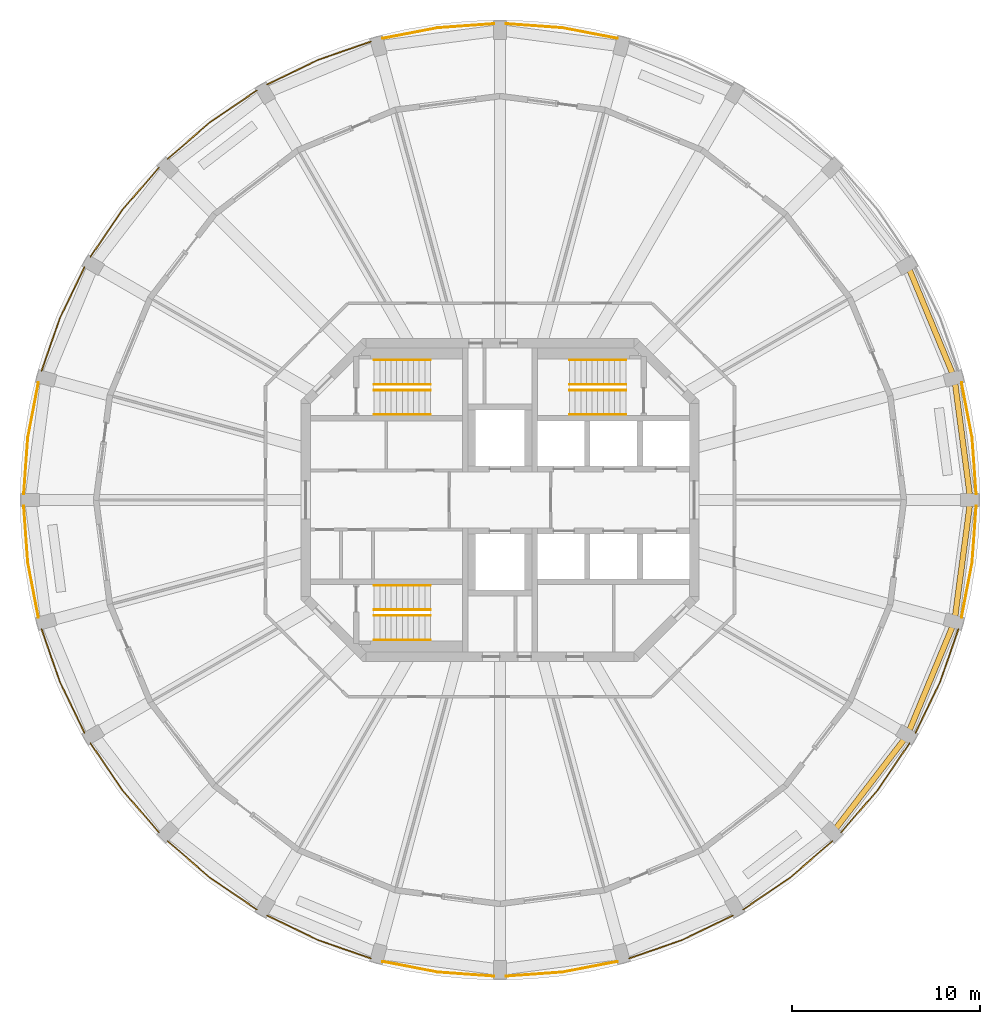
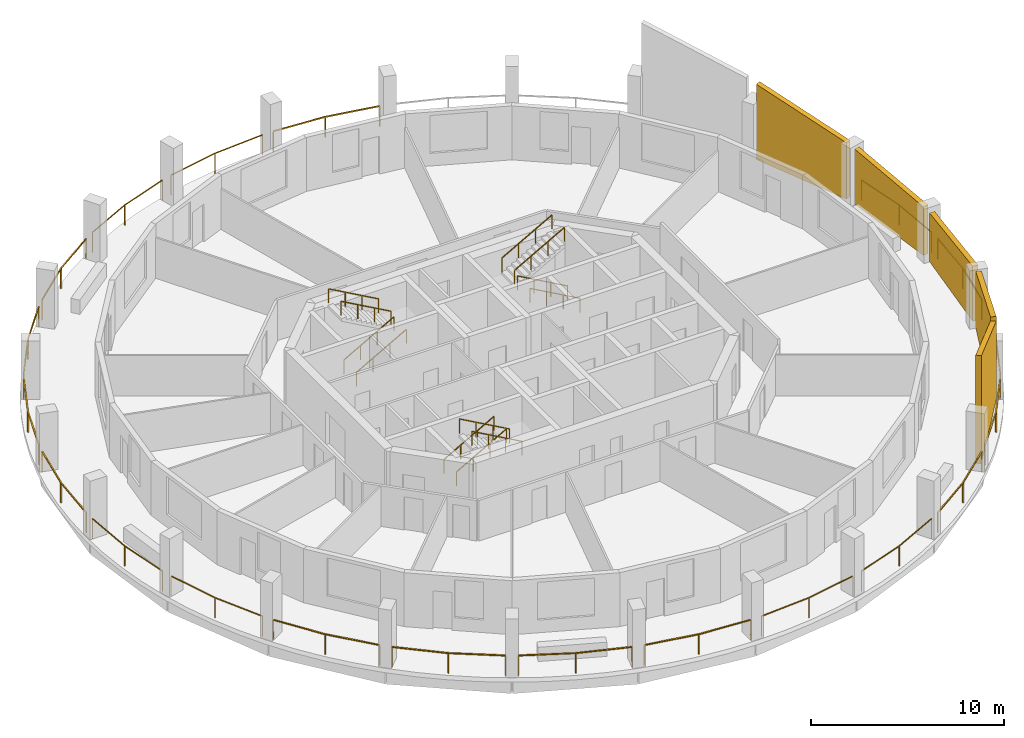
# One storey, part 7 of 8: 32 railings, 5 shading devices.
"""IFC4 building model written with IfcOpenShell, lengths in metres."""

from ifc_helpers import new_model, si_unit, direction, frame, origin, origin_2d, place, context, subcontext, project, spatial, polyline, rectangle, outline, extrude, material, type_object, element, save


model = new_model("IFC4")

# Units and contexts
model_context = context("Model", 3, precision=1e-05, world=origin(), true_north=direction((0.0, 1.0)))
body_context = subcontext(model_context, "Body", "Model", "MODEL_VIEW")
ifc_project = project(units=[si_unit("LENGTHUNIT", "METRE"), si_unit("AREAUNIT", "SQUARE_METRE"), si_unit("VOLUMEUNIT", "CUBIC_METRE"), si_unit("PLANEANGLEUNIT", "RADIAN"), si_unit("MASSUNIT", "GRAM", prefix="KILO")], contexts=[model_context])

# Site, building, storey
site_placement = place(None, origin())
site = spatial("IfcSite", under=ifc_project, at=site_placement, CompositionType="ELEMENT")
building_placement = place(site_placement, origin())
building = spatial("IfcBuilding", under=site, at=building_placement, Name="Torre Triforio", CompositionType="ELEMENT")
storey_placement = place(building_placement, frame((0.0, 0.0, 287.10009765625)))
storey = spatial("IfcBuildingStorey", under=building, at=storey_placement, Name="L66", CompositionType="ELEMENT", Elevation=287.10009765625)

# Railings
ifc_material = material(Name="Stainless steel AISI 316", Category="steel")
railing_type_1 = type_object("IfcRailingType", Name="HANDRAIL 920", PredefinedType="HANDRAIL", material=ifc_material)
for number, where, name in (
    (1, (-6.699951171875, 4.550048828125, 0.16796875), "Handrail ST1"),
    (2, (-6.699951171875, 5.85009765625, 0.16796875), "Handrail ST1"),
):
    element("IfcRailing", number, at=place(storey_placement, frame(where)), inside=storey, type_object=railing_type_1, Name=name, PredefinedType="HANDRAIL", context=body_context, shape_type="SweptSolid", body=[
        extrude(rectangle(XDim=0.048095703125, YDim=0.048095703125, at=origin_2d()), frame((0.0, 0.0, 0.89599609375), z_axis=(0.872272294576, 0.0, 0.489020494575), x_axis=(0.0, 1.0, 0.0)), (0.0, 0.0, 1.0), 3.439208984375),
        extrude(rectangle(XDim=0.0419921875, YDim=0.0419921875, at=origin_2d()), origin(), (0.0, 0.0, 1.0), 0.871826171875),
        extrude(rectangle(XDim=0.0419921875, YDim=0.0419921875, at=origin_2d()), frame((1.0, 0.0, 0.560546875)), (0.0, 0.0, 1.0), 0.871826171875),
        extrude(rectangle(XDim=0.0419921875, YDim=0.0419921875, at=origin_2d()), frame((2.0, 0.0, 1.121337890625)), (0.0, 0.0, 1.0), 0.871826171875),
        extrude(rectangle(XDim=0.0419921875, YDim=0.0419921875, at=origin_2d()), frame((3.0, 0.0, 1.681884765625)), (0.0, 0.0, 1.0), 0.871826171875),
    ])
for number, where, name in (
    (3, (-3.699951171875, 7.449951171875, 2.01806640625), "Handrail ST1"),
    (4, (-3.699951171875, 6.14990234375, 2.01806640625), "Handrail ST1"),
    (5, (6.699951171875, 4.550048828125, 0.16796875), "Handrail ST2"),
    (6, (6.699951171875, 5.85009765625, 0.16796875), "Handrail ST2"),
):
    element("IfcRailing", number, at=place(storey_placement, frame(where)), inside=storey, type_object=railing_type_1, Name=name, PredefinedType="HANDRAIL", context=body_context, shape_type="SweptSolid", body=[
        extrude(rectangle(XDim=0.048095703125, YDim=0.048095703125, at=origin_2d()), frame((0.0, 0.0, 0.89599609375), z_axis=(-0.872272294576, 0.0, 0.489020494575), x_axis=(0.0, -1.0, 0.0)), (0.0, 0.0, 1.0), 3.439208984375),
        extrude(rectangle(XDim=0.0419921875, YDim=0.0419921875, at=origin_2d()), origin(), (0.0, 0.0, 1.0), 0.871826171875),
        extrude(rectangle(XDim=0.0419921875, YDim=0.0419921875, at=origin_2d()), frame((-1.0, 0.0, 0.560546875)), (0.0, 0.0, 1.0), 0.871826171875),
        extrude(rectangle(XDim=0.0419921875, YDim=0.0419921875, at=origin_2d()), frame((-2.0, 0.0, 1.121337890625)), (0.0, 0.0, 1.0), 0.871826171875),
        extrude(rectangle(XDim=0.0419921875, YDim=0.0419921875, at=origin_2d()), frame((-3.0, 0.0, 1.681884765625)), (0.0, 0.0, 1.0), 0.871826171875),
    ])
for number, where, name in (
    (7, (3.699951171875, 7.449951171875, 2.01806640625), "Handrail ST2"),
    (8, (3.699951171875, 6.14990234375, 2.01806640625), "Handrail ST2"),
    (9, (-6.699951171875, -4.550048828125, 0.16796875), "Handrail ST3"),
    (10, (-6.699951171875, -5.85009765625, 0.16796875), "Handrail ST3"),
):
    element("IfcRailing", number, at=place(storey_placement, frame(where)), inside=storey, type_object=railing_type_1, Name=name, PredefinedType="HANDRAIL", context=body_context, shape_type="SweptSolid", body=[
        extrude(rectangle(XDim=0.048095703125, YDim=0.048095703125, at=origin_2d()), frame((0.0, 0.0, 0.89599609375), z_axis=(0.872272294576, 0.0, 0.489020494575), x_axis=(0.0, 1.0, 0.0)), (0.0, 0.0, 1.0), 3.439208984375),
        extrude(rectangle(XDim=0.0419921875, YDim=0.0419921875, at=origin_2d()), origin(), (0.0, 0.0, 1.0), 0.871826171875),
        extrude(rectangle(XDim=0.0419921875, YDim=0.0419921875, at=origin_2d()), frame((1.0, 0.0, 0.560546875)), (0.0, 0.0, 1.0), 0.871826171875),
        extrude(rectangle(XDim=0.0419921875, YDim=0.0419921875, at=origin_2d()), frame((2.0, 0.0, 1.121337890625)), (0.0, 0.0, 1.0), 0.871826171875),
        extrude(rectangle(XDim=0.0419921875, YDim=0.0419921875, at=origin_2d()), frame((3.0, 0.0, 1.681884765625)), (0.0, 0.0, 1.0), 0.871826171875),
    ])
for number, where, name in (
    (11, (-3.699951171875, -7.449951171875, 2.01806640625), "Handrail ST3"),
    (12, (-3.699951171875, -6.14990234375, 2.01806640625), "Handrail ST3"),
):
    element("IfcRailing", number, at=place(storey_placement, frame(where)), inside=storey, type_object=railing_type_1, Name=name, PredefinedType="HANDRAIL", context=body_context, shape_type="SweptSolid", body=[
        extrude(rectangle(XDim=0.048095703125, YDim=0.048095703125, at=origin_2d()), frame((0.0, 0.0, 0.89599609375), z_axis=(-0.872272294576, 0.0, 0.489020494575), x_axis=(0.0, -1.0, 0.0)), (0.0, 0.0, 1.0), 3.439208984375),
        extrude(rectangle(XDim=0.0419921875, YDim=0.0419921875, at=origin_2d()), origin(), (0.0, 0.0, 1.0), 0.871826171875),
        extrude(rectangle(XDim=0.0419921875, YDim=0.0419921875, at=origin_2d()), frame((-1.0, 0.0, 0.560546875)), (0.0, 0.0, 1.0), 0.871826171875),
        extrude(rectangle(XDim=0.0419921875, YDim=0.0419921875, at=origin_2d()), frame((-2.0, 0.0, 1.121337890625)), (0.0, 0.0, 1.0), 0.871826171875),
        extrude(rectangle(XDim=0.0419921875, YDim=0.0419921875, at=origin_2d()), frame((-3.0, 0.0, 1.681884765625)), (0.0, 0.0, 1.0), 0.871826171875),
    ])
railing_type_2 = type_object("IfcRailingType", Name="Loggia guard 1300", PredefinedType="GUARDRAIL", material=ifc_material)
railing_1_placement = place(storey_placement, frame((25.35009765625, 0.320068359375, 0.0)))
element("IfcRailing", 13, at=railing_1_placement, inside=storey, type_object=railing_type_2, Name="Loggia guard L66 bay 01", PredefinedType="GUARDRAIL", context=body_context, shape_type="SweptSolid", body=[
    extrude(rectangle(XDim=0.050048828125, YDim=0.050048828125, at=origin_2d()), frame((0.0, 0.0, 1.27490234375), z_axis=(-0.072428129451, 0.997373634133, 0.0), x_axis=(-0.997373634133, -0.072428129451, 0.0)), (0.0, 0.0, 1.0), 2.99658203125),
    extrude(rectangle(XDim=0.050048828125, YDim=0.050048828125, at=origin_2d()), frame((-0.217041015625, 2.98876953125, 1.27490234375), z_axis=(-0.18819767745, 0.98213116955, 0.0), x_axis=(-0.98213116955, -0.18819767745, 0.0)), (0.0, 0.0, 1.0), 2.99658203125),
    extrude(rectangle(XDim=0.0400390625, YDim=0.0400390625, at=origin_2d()), origin(), (0.0, 0.0, 1.0), 1.25),
    extrude(rectangle(XDim=0.0400390625, YDim=0.0400390625, at=origin_2d()), frame((-0.217041015625, 2.98876953125, 0.0)), (0.0, 0.0, 1.0), 1.25),
    extrude(rectangle(XDim=0.0400390625, YDim=0.0400390625, at=origin_2d()), frame((-0.781005859375, 5.931884765625, 0.0)), (0.0, 0.0, 1.0), 1.25),
])
railing_2_placement = place(storey_placement, frame((6.251953125, 24.569091796875, 0.0)))
element("IfcRailing", 14, at=railing_2_placement, inside=storey, type_object=railing_type_2, Name="Loggia guard L66 bay 06", PredefinedType="GUARDRAIL", context=body_context, shape_type="SweptSolid", body=[
    extrude(rectangle(XDim=0.050048828125, YDim=0.050048828125, at=origin_2d()), frame((0.0, 0.0, 1.27490234375), z_axis=(-0.98213116955, 0.18819767745, 0.0), x_axis=(-0.18819767745, -0.98213116955, 0.0)), (0.0, 0.0, 1.0), 2.99658203125),
    extrude(rectangle(XDim=0.050048828125, YDim=0.050048828125, at=origin_2d()), frame((-2.943115234375, 0.56396484375, 1.27490234375), z_axis=(-0.997373634133, 0.072428129451, 0.0), x_axis=(-0.072428129451, -0.997373634133, 0.0)), (0.0, 0.0, 1.0), 2.99658203125),
    extrude(rectangle(XDim=0.0400390625, YDim=0.0400390625, at=origin_2d()), origin(), (0.0, 0.0, 1.0), 1.25),
    extrude(rectangle(XDim=0.0400390625, YDim=0.0400390625, at=origin_2d()), frame((-2.943115234375, 0.56396484375, 0.0)), (0.0, 0.0, 1.0), 1.25),
    extrude(rectangle(XDim=0.0400390625, YDim=0.0400390625, at=origin_2d()), frame((-5.931884765625, 0.781005859375, 0.0)), (0.0, 0.0, 1.0), 1.25),
])
railing_3_placement = place(storey_placement, frame((-0.320068359375, 25.35009765625, 0.0)))
element("IfcRailing", 15, at=railing_3_placement, inside=storey, type_object=railing_type_2, Name="Loggia guard L66 bay 07", PredefinedType="GUARDRAIL", context=body_context, shape_type="SweptSolid", body=[
    extrude(rectangle(XDim=0.050048828125, YDim=0.050048828125, at=origin_2d()), frame((0.0, 0.0, 1.27490234375), z_axis=(-0.997373634133, -0.072428129451, 0.0), x_axis=(0.072428129451, -0.997373634133, 0.0)), (0.0, 0.0, 1.0), 2.99658203125),
    extrude(rectangle(XDim=0.050048828125, YDim=0.050048828125, at=origin_2d()), frame((-2.98876953125, -0.217041015625, 1.27490234375), z_axis=(-0.98213116955, -0.18819767745, 0.0), x_axis=(0.18819767745, -0.98213116955, 0.0)), (0.0, 0.0, 1.0), 2.99658203125),
    extrude(rectangle(XDim=0.0400390625, YDim=0.0400390625, at=origin_2d()), origin(), (0.0, 0.0, 1.0), 1.25),
    extrude(rectangle(XDim=0.0400390625, YDim=0.0400390625, at=origin_2d()), frame((-2.98876953125, -0.217041015625, 0.0)), (0.0, 0.0, 1.0), 1.25),
    extrude(rectangle(XDim=0.0400390625, YDim=0.0400390625, at=origin_2d()), frame((-5.931884765625, -0.781005859375, 0.0)), (0.0, 0.0, 1.0), 1.25),
])
railing_4_placement = place(storey_placement, frame((-6.8701171875, 24.4033203125, 0.0)))
element("IfcRailing", 16, at=railing_4_placement, inside=storey, type_object=railing_type_2, Name="Loggia guard L66 bay 08", PredefinedType="GUARDRAIL", context=body_context, shape_type="SweptSolid", body=[
    extrude(rectangle(XDim=0.050048828125, YDim=0.050048828125, at=origin_2d()), frame((0.0, 0.0, 1.27490234375), z_axis=(-0.944674716123, -0.328008659518, 0.0), x_axis=(0.328008659518, -0.944674716123, 0.0)), (0.0, 0.0, 1.0), 2.99658203125),
    extrude(rectangle(XDim=0.050048828125, YDim=0.050048828125, at=origin_2d()), frame((-2.830810546875, -0.98291015625, 1.27490234375), z_axis=(-0.899945864081, -0.43600165335, 0.0), x_axis=(0.43600165335, -0.899945864081, 0.0)), (0.0, 0.0, 1.0), 2.996826171875),
    extrude(rectangle(XDim=0.0400390625, YDim=0.0400390625, at=origin_2d()), origin(), (0.0, 0.0, 1.0), 1.25),
    extrude(rectangle(XDim=0.0400390625, YDim=0.0400390625, at=origin_2d()), frame((-2.830810546875, -0.98291015625, 0.0)), (0.0, 0.0, 1.0), 1.25),
    extrude(rectangle(XDim=0.0400390625, YDim=0.0400390625, at=origin_2d()), frame((-5.52783203125, -2.28955078125, 0.0)), (0.0, 0.0, 1.0), 1.25),
])
railing_5_placement = place(storey_placement, frame((-12.9521484375, 21.793701171875, 0.0)))
element("IfcRailing", 17, at=railing_5_placement, inside=storey, type_object=railing_type_2, Name="Loggia guard L66 bay 09", PredefinedType="GUARDRAIL", context=body_context, shape_type="SweptSolid", body=[
    extrude(rectangle(XDim=0.050048828125, YDim=0.050048828125, at=origin_2d()), frame((0.0, 0.0, 1.27490234375), z_axis=(-0.82758661631, -0.561338037643, 0.0), x_axis=(0.561338037643, -0.82758661631, 0.0)), (0.0, 0.0, 1.0), 2.99658203125),
    extrude(rectangle(XDim=0.050048828125, YDim=0.050048828125, at=origin_2d()), frame((-2.47998046875, -1.68212890625, 1.27490234375), z_axis=(-0.756414371673, -0.65409272915, 0.0), x_axis=(0.65409272915, -0.756414371673, 0.0)), (0.0, 0.0, 1.0), 2.996826171875),
    extrude(rectangle(XDim=0.0400390625, YDim=0.0400390625, at=origin_2d()), origin(), (0.0, 0.0, 1.0), 1.25),
    extrude(rectangle(XDim=0.0400390625, YDim=0.0400390625, at=origin_2d()), frame((-2.47998046875, -1.68212890625, 0.0)), (0.0, 0.0, 1.0), 1.25),
    extrude(rectangle(XDim=0.0400390625, YDim=0.0400390625, at=origin_2d()), frame((-4.746826171875, -3.642333984375, 0.0)), (0.0, 0.0, 1.0), 1.25),
])
railing_6_placement = place(storey_placement, frame((-18.1513671875, 17.698974609375, 0.0)))
element("IfcRailing", 18, at=railing_6_placement, inside=storey, type_object=railing_type_2, Name="Loggia guard L66 bay 10", PredefinedType="GUARDRAIL", context=body_context, shape_type="SweptSolid", body=[
    extrude(rectangle(XDim=0.050048828125, YDim=0.050048828125, at=origin_2d()), frame((0.0, 0.0, 1.27490234375), z_axis=(-0.65409272915, -0.756414371673, 0.0), x_axis=(0.756414371673, -0.65409272915, 0.0)), (0.0, 0.0, 1.0), 2.996826171875),
    extrude(rectangle(XDim=0.050048828125, YDim=0.050048828125, at=origin_2d()), frame((-1.960205078125, -2.266845703125, 1.27490234375), z_axis=(-0.561338037643, -0.82758661631, 0.0), x_axis=(0.82758661631, -0.561338037643, 0.0)), (0.0, 0.0, 1.0), 2.99658203125),
    extrude(rectangle(XDim=0.0400390625, YDim=0.0400390625, at=origin_2d()), origin(), (0.0, 0.0, 1.0), 1.25),
    extrude(rectangle(XDim=0.0400390625, YDim=0.0400390625, at=origin_2d()), frame((-1.960205078125, -2.266845703125, 0.0)), (0.0, 0.0, 1.0), 1.25),
    extrude(rectangle(XDim=0.0400390625, YDim=0.0400390625, at=origin_2d()), frame((-3.642333984375, -4.746826171875, 0.0)), (0.0, 0.0, 1.0), 1.25),
])
railing_7_placement = place(storey_placement, frame((-22.11376953125, 12.39794921875, 0.0)))
element("IfcRailing", 19, at=railing_7_placement, inside=storey, type_object=railing_type_2, Name="Loggia guard L66 bay 11", PredefinedType="GUARDRAIL", context=body_context, shape_type="SweptSolid", body=[
    extrude(rectangle(XDim=0.050048828125, YDim=0.050048828125, at=origin_2d()), frame((0.0, 0.0, 1.27490234375), z_axis=(-0.43600165335, -0.899945864081, 0.0), x_axis=(0.899945864081, -0.43600165335, 0.0)), (0.0, 0.0, 1.0), 2.996826171875),
    extrude(rectangle(XDim=0.050048828125, YDim=0.050048828125, at=origin_2d()), frame((-1.306640625, -2.697021484375, 1.27490234375), z_axis=(-0.328008659518, -0.944674716123, 0.0), x_axis=(0.944674716123, -0.328008659518, 0.0)), (0.0, 0.0, 1.0), 2.99658203125),
    extrude(rectangle(XDim=0.0400390625, YDim=0.0400390625, at=origin_2d()), origin(), (0.0, 0.0, 1.0), 1.25),
    extrude(rectangle(XDim=0.0400390625, YDim=0.0400390625, at=origin_2d()), frame((-1.306640625, -2.697021484375, 0.0)), (0.0, 0.0, 1.0), 1.25),
    extrude(rectangle(XDim=0.0400390625, YDim=0.0400390625, at=origin_2d()), frame((-2.28955078125, -5.52783203125, 0.0)), (0.0, 0.0, 1.0), 1.25),
])
railing_8_placement = place(storey_placement, frame((-24.569091796875, 6.251953125, 0.0)))
element("IfcRailing", 20, at=railing_8_placement, inside=storey, type_object=railing_type_2, Name="Loggia guard L66 bay 12", PredefinedType="GUARDRAIL", context=body_context, shape_type="SweptSolid", body=[
    extrude(rectangle(XDim=0.050048828125, YDim=0.050048828125, at=origin_2d()), frame((0.0, 0.0, 1.27490234375), z_axis=(-0.18819767745, -0.98213116955, 0.0), x_axis=(0.98213116955, -0.18819767745, 0.0)), (0.0, 0.0, 1.0), 2.99658203125),
    extrude(rectangle(XDim=0.050048828125, YDim=0.050048828125, at=origin_2d()), frame((-0.56396484375, -2.943115234375, 1.27490234375), z_axis=(-0.072428129451, -0.997373634133, 0.0), x_axis=(0.997373634133, -0.072428129451, 0.0)), (0.0, 0.0, 1.0), 2.99658203125),
    extrude(rectangle(XDim=0.0400390625, YDim=0.0400390625, at=origin_2d()), origin(), (0.0, 0.0, 1.0), 1.25),
    extrude(rectangle(XDim=0.0400390625, YDim=0.0400390625, at=origin_2d()), frame((-0.56396484375, -2.943115234375, 0.0)), (0.0, 0.0, 1.0), 1.25),
    extrude(rectangle(XDim=0.0400390625, YDim=0.0400390625, at=origin_2d()), frame((-0.781005859375, -5.931884765625, 0.0)), (0.0, 0.0, 1.0), 1.25),
])
railing_9_placement = place(storey_placement, frame((-25.35009765625, -0.320068359375, 0.0)))
element("IfcRailing", 21, at=railing_9_placement, inside=storey, type_object=railing_type_2, Name="Loggia guard L66 bay 13", PredefinedType="GUARDRAIL", context=body_context, shape_type="SweptSolid", body=[
    extrude(rectangle(XDim=0.050048828125, YDim=0.050048828125, at=origin_2d()), frame((0.0, 0.0, 1.27490234375), z_axis=(0.072428129451, -0.997373634133, 0.0), x_axis=(0.997373634133, 0.072428129451, 0.0)), (0.0, 0.0, 1.0), 2.99658203125),
    extrude(rectangle(XDim=0.050048828125, YDim=0.050048828125, at=origin_2d()), frame((0.217041015625, -2.98876953125, 1.27490234375), z_axis=(0.18819767745, -0.98213116955, 0.0), x_axis=(0.98213116955, 0.18819767745, 0.0)), (0.0, 0.0, 1.0), 2.99658203125),
    extrude(rectangle(XDim=0.0400390625, YDim=0.0400390625, at=origin_2d()), origin(), (0.0, 0.0, 1.0), 1.25),
    extrude(rectangle(XDim=0.0400390625, YDim=0.0400390625, at=origin_2d()), frame((0.217041015625, -2.98876953125, 0.0)), (0.0, 0.0, 1.0), 1.25),
    extrude(rectangle(XDim=0.0400390625, YDim=0.0400390625, at=origin_2d()), frame((0.781005859375, -5.931884765625, 0.0)), (0.0, 0.0, 1.0), 1.25),
])
railing_10_placement = place(storey_placement, frame((-24.4033203125, -6.8701171875, 0.0)))
element("IfcRailing", 22, at=railing_10_placement, inside=storey, type_object=railing_type_2, Name="Loggia guard L66 bay 14", PredefinedType="GUARDRAIL", context=body_context, shape_type="SweptSolid", body=[
    extrude(rectangle(XDim=0.050048828125, YDim=0.050048828125, at=origin_2d()), frame((0.0, 0.0, 1.27490234375), z_axis=(0.328008659518, -0.944674716123, 0.0), x_axis=(0.944674716123, 0.328008659518, 0.0)), (0.0, 0.0, 1.0), 2.99658203125),
    extrude(rectangle(XDim=0.050048828125, YDim=0.050048828125, at=origin_2d()), frame((0.98291015625, -2.830810546875, 1.27490234375), z_axis=(0.43600165335, -0.899945864081, 0.0), x_axis=(0.899945864081, 0.43600165335, 0.0)), (0.0, 0.0, 1.0), 2.996826171875),
    extrude(rectangle(XDim=0.0400390625, YDim=0.0400390625, at=origin_2d()), origin(), (0.0, 0.0, 1.0), 1.25),
    extrude(rectangle(XDim=0.0400390625, YDim=0.0400390625, at=origin_2d()), frame((0.98291015625, -2.830810546875, 0.0)), (0.0, 0.0, 1.0), 1.25),
    extrude(rectangle(XDim=0.0400390625, YDim=0.0400390625, at=origin_2d()), frame((2.28955078125, -5.52783203125, 0.0)), (0.0, 0.0, 1.0), 1.25),
])
railing_11_placement = place(storey_placement, frame((-21.793701171875, -12.9521484375, 0.0)))
element("IfcRailing", 23, at=railing_11_placement, inside=storey, type_object=railing_type_2, Name="Loggia guard L66 bay 15", PredefinedType="GUARDRAIL", context=body_context, shape_type="SweptSolid", body=[
    extrude(rectangle(XDim=0.050048828125, YDim=0.050048828125, at=origin_2d()), frame((0.0, 0.0, 1.27490234375), z_axis=(0.561338037643, -0.82758661631, 0.0), x_axis=(0.82758661631, 0.561338037643, 0.0)), (0.0, 0.0, 1.0), 2.99658203125),
    extrude(rectangle(XDim=0.050048828125, YDim=0.050048828125, at=origin_2d()), frame((1.68212890625, -2.47998046875, 1.27490234375), z_axis=(0.65409272915, -0.756414371673, 0.0), x_axis=(0.756414371673, 0.65409272915, 0.0)), (0.0, 0.0, 1.0), 2.996826171875),
    extrude(rectangle(XDim=0.0400390625, YDim=0.0400390625, at=origin_2d()), origin(), (0.0, 0.0, 1.0), 1.25),
    extrude(rectangle(XDim=0.0400390625, YDim=0.0400390625, at=origin_2d()), frame((1.68212890625, -2.47998046875, 0.0)), (0.0, 0.0, 1.0), 1.25),
    extrude(rectangle(XDim=0.0400390625, YDim=0.0400390625, at=origin_2d()), frame((3.642333984375, -4.746826171875, 0.0)), (0.0, 0.0, 1.0), 1.25),
])
railing_12_placement = place(storey_placement, frame((-17.698974609375, -18.1513671875, 0.0)))
element("IfcRailing", 24, at=railing_12_placement, inside=storey, type_object=railing_type_2, Name="Loggia guard L66 bay 16", PredefinedType="GUARDRAIL", context=body_context, shape_type="SweptSolid", body=[
    extrude(rectangle(XDim=0.050048828125, YDim=0.050048828125, at=origin_2d()), frame((0.0, 0.0, 1.27490234375), z_axis=(0.756414371673, -0.65409272915, 0.0), x_axis=(0.65409272915, 0.756414371673, 0.0)), (0.0, 0.0, 1.0), 2.996826171875),
    extrude(rectangle(XDim=0.050048828125, YDim=0.050048828125, at=origin_2d()), frame((2.266845703125, -1.960205078125, 1.27490234375), z_axis=(0.82758661631, -0.561338037643, 0.0), x_axis=(0.561338037643, 0.82758661631, 0.0)), (0.0, 0.0, 1.0), 2.99658203125),
    extrude(rectangle(XDim=0.0400390625, YDim=0.0400390625, at=origin_2d()), origin(), (0.0, 0.0, 1.0), 1.25),
    extrude(rectangle(XDim=0.0400390625, YDim=0.0400390625, at=origin_2d()), frame((2.266845703125, -1.960205078125, 0.0)), (0.0, 0.0, 1.0), 1.25),
    extrude(rectangle(XDim=0.0400390625, YDim=0.0400390625, at=origin_2d()), frame((4.746826171875, -3.642333984375, 0.0)), (0.0, 0.0, 1.0), 1.25),
])
railing_13_placement = place(storey_placement, frame((-12.39794921875, -22.11376953125, 0.0)))
element("IfcRailing", 25, at=railing_13_placement, inside=storey, type_object=railing_type_2, Name="Loggia guard L66 bay 17", PredefinedType="GUARDRAIL", context=body_context, shape_type="SweptSolid", body=[
    extrude(rectangle(XDim=0.050048828125, YDim=0.050048828125, at=origin_2d()), frame((0.0, 0.0, 1.27490234375), z_axis=(0.899945864081, -0.43600165335, 0.0), x_axis=(0.43600165335, 0.899945864081, 0.0)), (0.0, 0.0, 1.0), 2.996826171875),
    extrude(rectangle(XDim=0.050048828125, YDim=0.050048828125, at=origin_2d()), frame((2.697021484375, -1.306640625, 1.27490234375), z_axis=(0.944674716123, -0.328008659518, 0.0), x_axis=(0.328008659518, 0.944674716123, 0.0)), (0.0, 0.0, 1.0), 2.99658203125),
    extrude(rectangle(XDim=0.0400390625, YDim=0.0400390625, at=origin_2d()), origin(), (0.0, 0.0, 1.0), 1.25),
    extrude(rectangle(XDim=0.0400390625, YDim=0.0400390625, at=origin_2d()), frame((2.697021484375, -1.306640625, 0.0)), (0.0, 0.0, 1.0), 1.25),
    extrude(rectangle(XDim=0.0400390625, YDim=0.0400390625, at=origin_2d()), frame((5.52783203125, -2.28955078125, 0.0)), (0.0, 0.0, 1.0), 1.25),
])
railing_14_placement = place(storey_placement, frame((-6.251953125, -24.569091796875, 0.0)))
element("IfcRailing", 26, at=railing_14_placement, inside=storey, type_object=railing_type_2, Name="Loggia guard L66 bay 18", PredefinedType="GUARDRAIL", context=body_context, shape_type="SweptSolid", body=[
    extrude(rectangle(XDim=0.050048828125, YDim=0.050048828125, at=origin_2d()), frame((0.0, 0.0, 1.27490234375), z_axis=(0.98213116955, -0.18819767745, 0.0), x_axis=(0.18819767745, 0.98213116955, 0.0)), (0.0, 0.0, 1.0), 2.99658203125),
    extrude(rectangle(XDim=0.050048828125, YDim=0.050048828125, at=origin_2d()), frame((2.943115234375, -0.56396484375, 1.27490234375), z_axis=(0.997373634133, -0.072428129451, 0.0), x_axis=(0.072428129451, 0.997373634133, 0.0)), (0.0, 0.0, 1.0), 2.99658203125),
    extrude(rectangle(XDim=0.0400390625, YDim=0.0400390625, at=origin_2d()), origin(), (0.0, 0.0, 1.0), 1.25),
    extrude(rectangle(XDim=0.0400390625, YDim=0.0400390625, at=origin_2d()), frame((2.943115234375, -0.56396484375, 0.0)), (0.0, 0.0, 1.0), 1.25),
    extrude(rectangle(XDim=0.0400390625, YDim=0.0400390625, at=origin_2d()), frame((5.931884765625, -0.781005859375, 0.0)), (0.0, 0.0, 1.0), 1.25),
])
railing_15_placement = place(storey_placement, frame((0.320068359375, -25.35009765625, 0.0)))
element("IfcRailing", 27, at=railing_15_placement, inside=storey, type_object=railing_type_2, Name="Loggia guard L66 bay 19", PredefinedType="GUARDRAIL", context=body_context, shape_type="SweptSolid", body=[
    extrude(rectangle(XDim=0.050048828125, YDim=0.050048828125, at=origin_2d()), frame((0.0, 0.0, 1.27490234375), z_axis=(0.997373634133, 0.072428129451, 0.0), x_axis=(-0.072428129451, 0.997373634133, 0.0)), (0.0, 0.0, 1.0), 2.99658203125),
    extrude(rectangle(XDim=0.050048828125, YDim=0.050048828125, at=origin_2d()), frame((2.98876953125, 0.217041015625, 1.27490234375), z_axis=(0.98213116955, 0.18819767745, 0.0), x_axis=(-0.18819767745, 0.98213116955, 0.0)), (0.0, 0.0, 1.0), 2.99658203125),
    extrude(rectangle(XDim=0.0400390625, YDim=0.0400390625, at=origin_2d()), origin(), (0.0, 0.0, 1.0), 1.25),
    extrude(rectangle(XDim=0.0400390625, YDim=0.0400390625, at=origin_2d()), frame((2.98876953125, 0.217041015625, 0.0)), (0.0, 0.0, 1.0), 1.25),
    extrude(rectangle(XDim=0.0400390625, YDim=0.0400390625, at=origin_2d()), frame((5.931884765625, 0.781005859375, 0.0)), (0.0, 0.0, 1.0), 1.25),
])
railing_16_placement = place(storey_placement, frame((6.8701171875, -24.4033203125, 0.0)))
element("IfcRailing", 28, at=railing_16_placement, inside=storey, type_object=railing_type_2, Name="Loggia guard L66 bay 20", PredefinedType="GUARDRAIL", context=body_context, shape_type="SweptSolid", body=[
    extrude(rectangle(XDim=0.050048828125, YDim=0.050048828125, at=origin_2d()), frame((0.0, 0.0, 1.27490234375), z_axis=(0.944674716123, 0.328008659518, 0.0), x_axis=(-0.328008659518, 0.944674716123, 0.0)), (0.0, 0.0, 1.0), 2.99658203125),
    extrude(rectangle(XDim=0.050048828125, YDim=0.050048828125, at=origin_2d()), frame((2.830810546875, 0.98291015625, 1.27490234375), z_axis=(0.899945864081, 0.43600165335, 0.0), x_axis=(-0.43600165335, 0.899945864081, 0.0)), (0.0, 0.0, 1.0), 2.996826171875),
    extrude(rectangle(XDim=0.0400390625, YDim=0.0400390625, at=origin_2d()), origin(), (0.0, 0.0, 1.0), 1.25),
    extrude(rectangle(XDim=0.0400390625, YDim=0.0400390625, at=origin_2d()), frame((2.830810546875, 0.98291015625, 0.0)), (0.0, 0.0, 1.0), 1.25),
    extrude(rectangle(XDim=0.0400390625, YDim=0.0400390625, at=origin_2d()), frame((5.52783203125, 2.28955078125, 0.0)), (0.0, 0.0, 1.0), 1.25),
])
railing_17_placement = place(storey_placement, frame((12.9521484375, -21.793701171875, 0.0)))
element("IfcRailing", 29, at=railing_17_placement, inside=storey, type_object=railing_type_2, Name="Loggia guard L66 bay 21", PredefinedType="GUARDRAIL", context=body_context, shape_type="SweptSolid", body=[
    extrude(rectangle(XDim=0.050048828125, YDim=0.050048828125, at=origin_2d()), frame((0.0, 0.0, 1.27490234375), z_axis=(0.82758661631, 0.561338037643, 0.0), x_axis=(-0.561338037643, 0.82758661631, 0.0)), (0.0, 0.0, 1.0), 2.99658203125),
    extrude(rectangle(XDim=0.050048828125, YDim=0.050048828125, at=origin_2d()), frame((2.47998046875, 1.68212890625, 1.27490234375), z_axis=(0.756414371673, 0.65409272915, 0.0), x_axis=(-0.65409272915, 0.756414371673, 0.0)), (0.0, 0.0, 1.0), 2.996826171875),
    extrude(rectangle(XDim=0.0400390625, YDim=0.0400390625, at=origin_2d()), origin(), (0.0, 0.0, 1.0), 1.25),
    extrude(rectangle(XDim=0.0400390625, YDim=0.0400390625, at=origin_2d()), frame((2.47998046875, 1.68212890625, 0.0)), (0.0, 0.0, 1.0), 1.25),
    extrude(rectangle(XDim=0.0400390625, YDim=0.0400390625, at=origin_2d()), frame((4.746826171875, 3.642333984375, 0.0)), (0.0, 0.0, 1.0), 1.25),
])
railing_18_placement = place(storey_placement, frame((18.1513671875, -17.698974609375, 0.0)))
element("IfcRailing", 30, at=railing_18_placement, inside=storey, type_object=railing_type_2, Name="Loggia guard L66 bay 22", PredefinedType="GUARDRAIL", context=body_context, shape_type="SweptSolid", body=[
    extrude(rectangle(XDim=0.050048828125, YDim=0.050048828125, at=origin_2d()), frame((0.0, 0.0, 1.27490234375), z_axis=(0.65409272915, 0.756414371673, 0.0), x_axis=(-0.756414371673, 0.65409272915, 0.0)), (0.0, 0.0, 1.0), 2.996826171875),
    extrude(rectangle(XDim=0.050048828125, YDim=0.050048828125, at=origin_2d()), frame((1.960205078125, 2.266845703125, 1.27490234375), z_axis=(0.561338037643, 0.82758661631, 0.0), x_axis=(-0.82758661631, 0.561338037643, 0.0)), (0.0, 0.0, 1.0), 2.99658203125),
    extrude(rectangle(XDim=0.0400390625, YDim=0.0400390625, at=origin_2d()), origin(), (0.0, 0.0, 1.0), 1.25),
    extrude(rectangle(XDim=0.0400390625, YDim=0.0400390625, at=origin_2d()), frame((1.960205078125, 2.266845703125, 0.0)), (0.0, 0.0, 1.0), 1.25),
    extrude(rectangle(XDim=0.0400390625, YDim=0.0400390625, at=origin_2d()), frame((3.642333984375, 4.746826171875, 0.0)), (0.0, 0.0, 1.0), 1.25),
])
railing_19_placement = place(storey_placement, frame((22.11376953125, -12.39794921875, 0.0)))
element("IfcRailing", 31, at=railing_19_placement, inside=storey, type_object=railing_type_2, Name="Loggia guard L66 bay 23", PredefinedType="GUARDRAIL", context=body_context, shape_type="SweptSolid", body=[
    extrude(rectangle(XDim=0.050048828125, YDim=0.050048828125, at=origin_2d()), frame((0.0, 0.0, 1.27490234375), z_axis=(0.43600165335, 0.899945864081, 0.0), x_axis=(-0.899945864081, 0.43600165335, 0.0)), (0.0, 0.0, 1.0), 2.996826171875),
    extrude(rectangle(XDim=0.050048828125, YDim=0.050048828125, at=origin_2d()), frame((1.306640625, 2.697021484375, 1.27490234375), z_axis=(0.328008659518, 0.944674716123, 0.0), x_axis=(-0.944674716123, 0.328008659518, 0.0)), (0.0, 0.0, 1.0), 2.99658203125),
    extrude(rectangle(XDim=0.0400390625, YDim=0.0400390625, at=origin_2d()), origin(), (0.0, 0.0, 1.0), 1.25),
    extrude(rectangle(XDim=0.0400390625, YDim=0.0400390625, at=origin_2d()), frame((1.306640625, 2.697021484375, 0.0)), (0.0, 0.0, 1.0), 1.25),
    extrude(rectangle(XDim=0.0400390625, YDim=0.0400390625, at=origin_2d()), frame((2.28955078125, 5.52783203125, 0.0)), (0.0, 0.0, 1.0), 1.25),
])
railing_20_placement = place(storey_placement, frame((24.569091796875, -6.251953125, 0.0)))
element("IfcRailing", 32, at=railing_20_placement, inside=storey, type_object=railing_type_2, Name="Loggia guard L66 bay 24", PredefinedType="GUARDRAIL", context=body_context, shape_type="SweptSolid", body=[
    extrude(rectangle(XDim=0.050048828125, YDim=0.050048828125, at=origin_2d()), frame((0.0, 0.0, 1.27490234375), z_axis=(0.18819767745, 0.98213116955, 0.0), x_axis=(-0.98213116955, 0.18819767745, 0.0)), (0.0, 0.0, 1.0), 2.99658203125),
    extrude(rectangle(XDim=0.050048828125, YDim=0.050048828125, at=origin_2d()), frame((0.56396484375, 2.943115234375, 1.27490234375), z_axis=(0.072428129451, 0.997373634133, 0.0), x_axis=(-0.997373634133, 0.072428129451, 0.0)), (0.0, 0.0, 1.0), 2.99658203125),
    extrude(rectangle(XDim=0.0400390625, YDim=0.0400390625, at=origin_2d()), origin(), (0.0, 0.0, 1.0), 1.25),
    extrude(rectangle(XDim=0.0400390625, YDim=0.0400390625, at=origin_2d()), frame((0.56396484375, 2.943115234375, 0.0)), (0.0, 0.0, 1.0), 1.25),
    extrude(rectangle(XDim=0.0400390625, YDim=0.0400390625, at=origin_2d()), frame((0.781005859375, 5.931884765625, 0.0)), (0.0, 0.0, 1.0), 1.25),
])

# Shading devices
shading_device_1_placement = place(storey_placement, frame((25.0, 0.320068359375, 0.0), z_axis=(0.0, 0.0, 1.0), x_axis=(-0.130529546201, 0.991444419808, 0.0)))
element("IfcShadingDevice", 33, at=shading_device_1_placement, inside=storey, Name="Crown louvre screen RF-1 bay 01 east", PredefinedType="JALOUSIE", context=body_context, shape_type="SweptSolid", body=[
    extrude(outline(polyline([(0.0, 0.0), (5.8916015625, 0.0), (5.891845703125, 3.486083984375), (0.0, 3.0771484375), (0.0, 0.0)])), frame((0.0, 0.14990234375, 0.0), z_axis=(0.0, -1.0, 0.0), x_axis=(1.0, 0.0, 0.0)), (0.0, 0.0, 1.0), 0.300048828125),
])
shading_device_2_placement = place(storey_placement, frame((24.065185546875, 6.779541015625, 0.0), z_axis=(0.0, 0.0, 1.0), x_axis=(-0.382672624084, 0.923884009374, 0.0)))
element("IfcShadingDevice", 34, at=shading_device_2_placement, inside=storey, Name="Crown louvre screen RF-1 bay 02 east", PredefinedType="JALOUSIE", context=body_context, shape_type="SweptSolid", body=[
    extrude(outline(polyline([(0.0, 0.0), (5.891845703125, 0.0), (5.891845703125, 4.7783203125), (0.0, 3.57958984375), (0.0, 0.0)])), frame((0.0, 0.14990234375, 0.0), z_axis=(0.0, -1.0, 0.0), x_axis=(1.0, 0.0, 0.0)), (0.0, 0.0, 1.0), 0.300048828125),
])
shading_device_3_placement = place(storey_placement, frame((17.90380859375, -17.451416015625, 0.0), z_axis=(0.0, 0.0, 1.0), x_axis=(0.608755104033, 0.793358193576, 0.0)))
element("IfcShadingDevice", 35, at=shading_device_3_placement, inside=storey, Name="Crown louvre screen RF-1 bay 22 east", PredefinedType="JALOUSIE", context=body_context, shape_type="SweptSolid", body=[
    extrude(outline(polyline([(0.0, 0.0), (5.891845703125, 0.0), (5.891845703125, 4.958984375), (0.0, 6.865966796875), (0.0, 0.0)])), frame((0.0, 0.14990234375, 0.0), z_axis=(0.0, -1.0, 0.0), x_axis=(1.0, 0.0, 0.0)), (0.0, 0.0, 1.0), 0.300048828125),
])
shading_device_4_placement = place(storey_placement, frame((21.810546875, -12.222900390625, 0.0), z_axis=(0.0, 0.0, 1.0), x_axis=(0.382672624084, 0.923884009374, 0.0)))
element("IfcShadingDevice", 36, at=shading_device_4_placement, inside=storey, Name="Crown louvre screen RF-1 bay 23 east", PredefinedType="JALOUSIE", context=body_context, shape_type="SweptSolid", body=[
    extrude(outline(polyline([(0.0, 0.0), (5.891845703125, 0.0), (5.891845703125, 3.57958984375), (0.0, 4.7783203125), (0.0, 0.0)])), frame((0.0, 0.14990234375, 0.0), z_axis=(0.0, -1.0, 0.0), x_axis=(1.0, 0.0, 0.0)), (0.0, 0.0, 1.0), 0.300048828125),
])
shading_device_5_placement = place(storey_placement, frame((24.23095703125, -6.161376953125, 0.0), z_axis=(0.0, 0.0, 1.0), x_axis=(0.130529546201, 0.991444419808, 0.0)))
element("IfcShadingDevice", 37, at=shading_device_5_placement, inside=storey, Name="Crown louvre screen RF-1 bay 24 east", PredefinedType="JALOUSIE", context=body_context, shape_type="SweptSolid", body=[
    extrude(outline(polyline([(0.0, 0.0), (5.8916015625, 0.0), (5.891845703125, 3.0771484375), (0.0, 3.486083984375), (0.0, 0.0)])), frame((0.0, 0.14990234375, 0.0), z_axis=(0.0, -1.0, 0.0), x_axis=(1.0, 0.0, 0.0)), (0.0, 0.0, 1.0), 0.300048828125),
])

save(model, "model.ifc")
